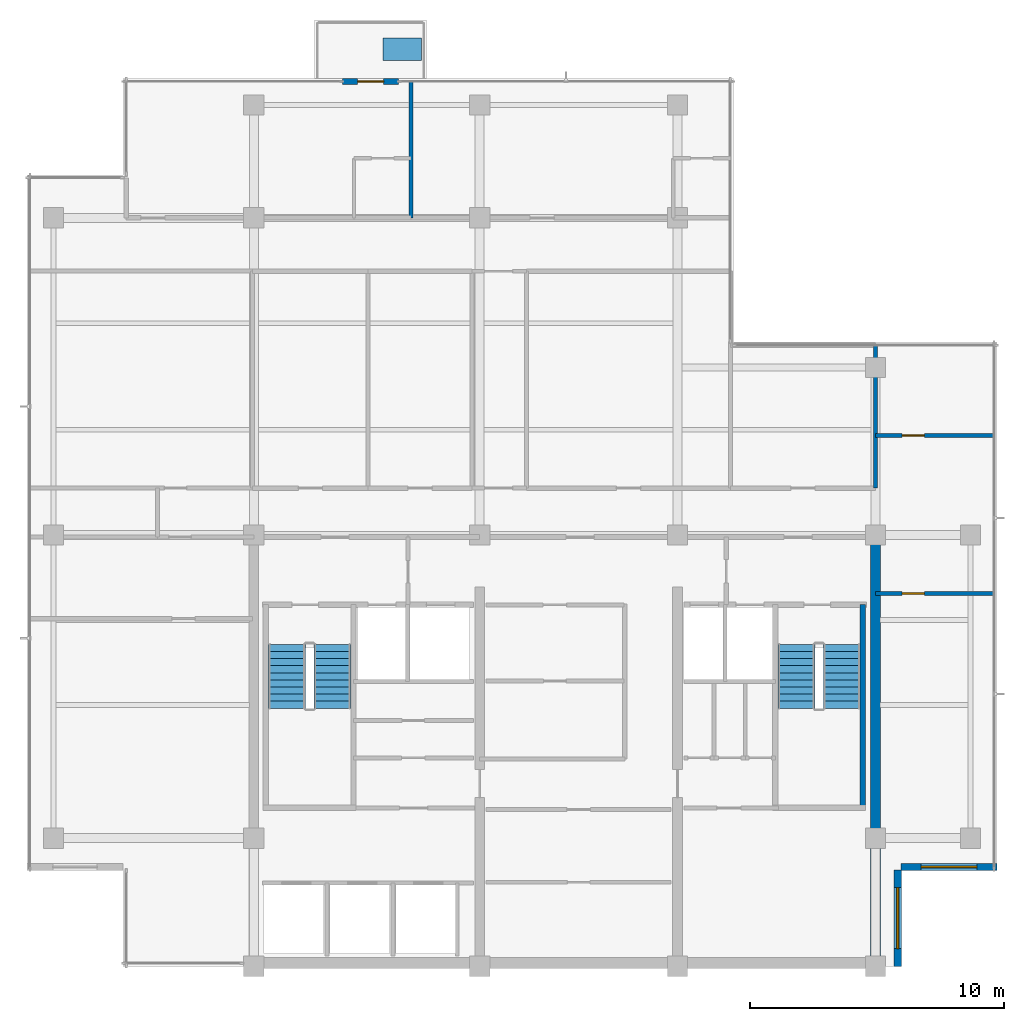
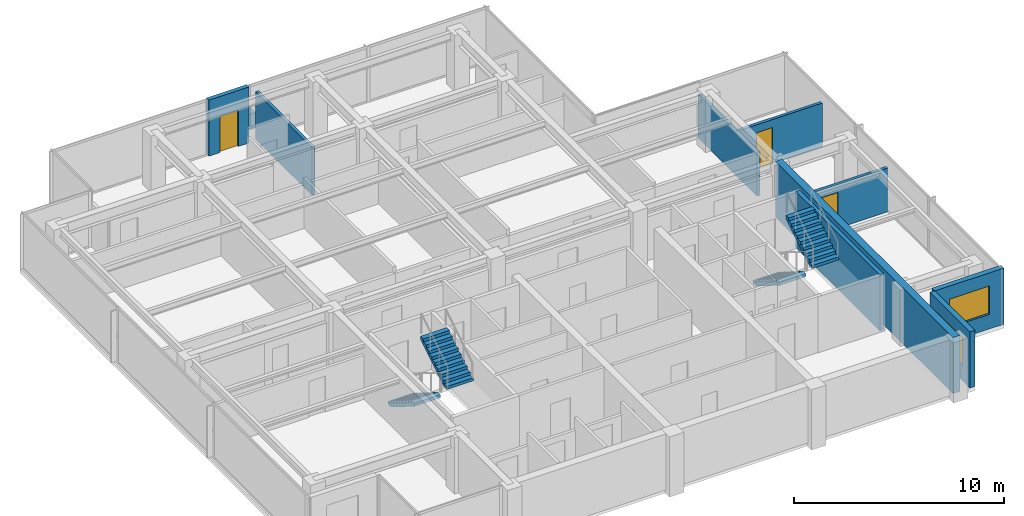
# One storey, part 8 of 11: 9 walls, 4 stair flights, 3 doors, 2 windows, 1 discrete accessory, 5 openings, 2 elements without a shape of their own.
"""IFC4 building model written with IfcOpenShell, lengths in metres."""

from ifc_helpers import new_model, si_unit, direction, frame, frame_2d, origin, place, context, subcontext, project, spatial, polyline, rectangle, outline, extrude, material, layer, layer_set, type_object, element, fill, aggregate, save


model = new_model("IFC4")

# Units and contexts
model_context = context("Model", 3, precision=1e-05, world=origin(), true_north=direction((0.0, 1.0)))
body_context = subcontext(model_context, "Body", "Model", "MODEL_VIEW")
ifc_project = project(units=[si_unit("LENGTHUNIT", "METRE"), si_unit("AREAUNIT", "SQUARE_METRE"), si_unit("VOLUMEUNIT", "CUBIC_METRE"), si_unit("PLANEANGLEUNIT", "RADIAN"), si_unit("MASSUNIT", "GRAM", prefix="KILO")], contexts=[model_context])

# Site, building, storey
site_placement = place(None, origin())
site = spatial("IfcSite", under=ifc_project, at=site_placement, CompositionType="ELEMENT")
building_placement = place(site_placement, origin())
building = spatial("IfcBuilding", under=site, at=building_placement, Name="Qalmaran Belvedere Hotel", CompositionType="ELEMENT")
storey_placement = place(building_placement, frame((0.0, 0.0, 273.89990234375)))
storey = spatial("IfcBuildingStorey", under=building, at=storey_placement, Name="L71", CompositionType="ELEMENT", Elevation=273.89990234375)

# Wall, opening, door
ifc_material_1 = material(Name="Anodised Bronze Cladding")
ifc_layer_1 = layer(ifc_material_1, 0.22509765625, Name="Anodised Bronze Cladding")
ifc_layer_set_1 = layer_set([ifc_layer_1], Name="Anodised Bronze Cladding")
wall_type_1 = type_object("IfcWallType", Name="WL-BAL-PORT-225", PredefinedType="SOLIDWALL", material=ifc_layer_set_1)
wall_1_placement = place(storey_placement, frame((23.800048828125, 38.3798828125, 0.0), z_axis=(0.0, 0.0, 1.0), x_axis=(1.0, 0.0, 0.0)))
wall_1 = element("IfcWall", 1, at=wall_1_placement, inside=storey, type_object=wall_type_1, Name="L71 Tree Balcony Door Portal", PredefinedType="SOLIDWALL", context=body_context, shape_type="SweptSolid", body=[
    extrude(rectangle(XDim=2.199951171875, YDim=0.22509765625, at=frame_2d((1.10009765625, 0.0))), origin(), (0.0, 0.0, 1.0), 3.260009765625),
])
opening_1_placement = place(wall_1_placement, frame((0.590087890625, 0.0, 0.0)))
opening_1 = element("IfcOpeningElement", 2, at=opening_1_placement, cuts=wall_1, Name="Opening BL-102", PredefinedType="OPENING", context=body_context, shape_type="SweptSolid", body=[
    extrude(rectangle(XDim=1.02001953125, YDim=2.10009765625, at=frame_2d((0.510009765625, 1.050048828125))), frame((0.0, 0.12255859375, 0.0), z_axis=(0.0, -1.0, 0.0), x_axis=(1.0, 0.0, 0.0)), (0.0, 0.0, 1.0), 0.2451171875),
])
ifc_material_2 = material(Name="Anodised Bronze Aluminium", Category="aluminium")
door_type_1 = type_object("IfcDoorType", Name="DR-BAL-1020X2100", OperationType="NOTDEFINED", PredefinedType="DOOR", material=ifc_material_2)
door_1_placement = place(opening_1_placement, origin())
door_1 = element("IfcDoor", 3, at=door_1_placement, inside=storey, type_object=door_type_1, Name="L71 Planted Tree Balcony Door", OperationType="SINGLE_SWING_RIGHT", OverallHeight=2.10009765625, OverallWidth=1.02001953125, PredefinedType="DOOR", context=body_context, shape_type="SweptSolid", body=[
    extrude(rectangle(XDim=1.02001953125, YDim=2.10009765625, at=frame_2d((0.510009765625, 1.050048828125))), frame((0.0, 0.02490234375, 0.0), z_axis=(0.0, -1.0, 0.0), x_axis=(1.0, 0.0, 0.0)), (0.0, 0.0, 1.0), 0.050048828125),
])
fill(opening_1, door_1)

# Wall
ifc_material_3 = material(Name="Concrete C50/60", Category="concrete")
ifc_layer_2 = layer(ifc_material_3, 0.3798828125, Name="Concrete C50/60")
ifc_layer_set_2 = layer_set([ifc_layer_2], Name="Concrete C50/60")
wall_type_2 = type_object("IfcWallType", Name="WL-CORE-380-C50", PredefinedType="SHEAR", material=ifc_layer_set_2)
wall_2_placement = place(storey_placement, frame((44.800048828125, 3.5, 0.0), z_axis=(0.0, 0.0, 1.0), x_axis=(0.0, 1.0, 0.0)))
element("IfcWall", 4, at=wall_2_placement, inside=storey, type_object=wall_type_2, Name="L71 East Core Shear Wall", PredefinedType="SHEAR", context=body_context, shape_type="SweptSolid", body=[
    extrude(rectangle(XDim=16.89990234375, YDim=0.3798828125, at=frame_2d((8.449951171875, 0.0))), origin(), (0.0, 0.0, 1.0), 3.260009765625),
])

# Wall, opening, window
ifc_layer_3 = layer(ifc_material_1, 0.280029296875, Name="Anodised Bronze Cladding")
ifc_layer_set_3 = layer_set([ifc_layer_3], Name="Anodised Bronze Cladding")
wall_type_3 = type_object("IfcWallType", Name="WL-EXT-BRNZ-280", PredefinedType="SOLIDWALL", material=ifc_layer_set_3)
wall_3_placement = place(storey_placement, frame((45.679931640625, 3.5, 0.0), z_axis=(0.0, 0.0, 1.0), x_axis=(0.0, 1.0, 0.0)))
wall_3 = element("IfcWall", 5, at=wall_3_placement, inside=storey, type_object=wall_type_3, Name="L71 Corner Notch Wall 1", PredefinedType="SOLIDWALL", context=body_context, shape_type="SweptSolid", body=[
    extrude(rectangle(XDim=3.800048828125, YDim=0.280029296875, at=frame_2d((1.89990234375, 0.0))), origin(), (0.0, 0.0, 1.0), 3.260009765625),
])
opening_2_placement = place(wall_3_placement, frame((0.699951171875, 0.0, 0.85009765625)))
opening_2 = element("IfcOpeningElement", 6, at=opening_2_placement, cuts=wall_3, Name="Opening W-N24", PredefinedType="OPENING", context=body_context, shape_type="SweptSolid", body=[
    extrude(rectangle(XDim=2.39990234375, YDim=1.64990234375, at=frame_2d((1.199951171875, 0.824951171875))), frame((0.0, 0.14990234375, 0.0), z_axis=(0.0, -1.0, 0.0), x_axis=(1.0, 0.0, 0.0)), (0.0, 0.0, 1.0), 0.300048828125),
])
ifc_material_4 = material(Name="Solar-Control Double Glazing", Category="glass")
window_type_1 = type_object("IfcWindowType", Name="WN-NTC-2400X1650", PartitioningType="SINGLE_PANEL", PredefinedType="WINDOW", material=ifc_material_4)
window_1_placement = place(opening_2_placement, origin())
window_1 = element("IfcWindow", 7, at=window_1_placement, inside=storey, type_object=window_type_1, Name="L71 Corner Notch Window 1", OverallHeight=1.64990234375, OverallWidth=2.39990234375, PartitioningType="SINGLE_PANEL", PredefinedType="WINDOW", context=body_context, shape_type="SweptSolid", body=[
    extrude(rectangle(XDim=2.39990234375, YDim=1.64990234375, at=frame_2d((1.199951171875, 0.824951171875))), frame((0.0, 0.030029296875, 0.0), z_axis=(0.0, -1.0, 0.0), x_axis=(1.0, 0.0, 0.0)), (0.0, 0.0, 1.0), 0.06005859375),
])
fill(opening_2, window_1)

wall_4_placement = place(storey_placement, frame((45.800048828125, 7.419921875, 0.0), z_axis=(0.0, 0.0, 1.0), x_axis=(1.0, 0.0, 0.0)))
wall_4 = element("IfcWall", 8, at=wall_4_placement, inside=storey, type_object=wall_type_3, Name="L71 Corner Notch Wall 2", PredefinedType="SOLIDWALL", context=body_context, shape_type="SweptSolid", body=[
    extrude(rectangle(XDim=3.800048828125, YDim=0.280029296875, at=frame_2d((1.89990234375, 0.0))), origin(), (0.0, 0.0, 1.0), 3.260009765625),
])
opening_3_placement = place(wall_4_placement, frame((0.800048828125, 0.0, 0.85009765625)))
opening_3 = element("IfcOpeningElement", 9, at=opening_3_placement, cuts=wall_4, Name="Opening W-N22", PredefinedType="OPENING", context=body_context, shape_type="SweptSolid", body=[
    extrude(rectangle(XDim=2.199951171875, YDim=1.64990234375, at=frame_2d((1.10009765625, 0.824951171875))), frame((0.0, 0.14990234375, 0.0), z_axis=(0.0, -1.0, 0.0), x_axis=(1.0, 0.0, 0.0)), (0.0, 0.0, 1.0), 0.300048828125),
])
window_type_2 = type_object("IfcWindowType", Name="WN-NTC-2200X1650", PartitioningType="SINGLE_PANEL", PredefinedType="WINDOW", material=ifc_material_4)
window_2_placement = place(opening_3_placement, origin())
window_2 = element("IfcWindow", 10, at=window_2_placement, inside=storey, type_object=window_type_2, Name="L71 Corner Notch Window 2", OverallHeight=1.64990234375, OverallWidth=2.199951171875, PartitioningType="SINGLE_PANEL", PredefinedType="WINDOW", context=body_context, shape_type="SweptSolid", body=[
    extrude(rectangle(XDim=2.199951171875, YDim=1.64990234375, at=frame_2d((1.10009765625, 0.824951171875))), frame((0.0, 0.030029296875, 0.0), z_axis=(0.0, -1.0, 0.0), x_axis=(1.0, 0.0, 0.0)), (0.0, 0.0, 1.0), 0.06005859375),
])
fill(opening_3, window_2)

# Wall, opening, door
ifc_material_5 = material(Name="Gypsum Stud Partition")
ifc_layer_4 = layer(ifc_material_5, 0.159912109375, Name="Gypsum Stud Partition")
ifc_layer_set_4 = layer_set([ifc_layer_4], Name="Gypsum Stud Partition")
wall_type_4 = type_object("IfcWallType", Name="WL-INT-160-EI60", PredefinedType="PARTITIONING", material=ifc_layer_set_4)
wall_5_placement = place(storey_placement, frame((44.800048828125, 18.199951171875, 0.0), z_axis=(0.0, 0.0, 1.0), x_axis=(1.0, 0.0, 0.0)))
wall_5 = element("IfcWall", 11, at=wall_5_placement, inside=storey, type_object=wall_type_4, Name="L71 Partition WL-L71-C4EES", PredefinedType="PARTITIONING", context=body_context, shape_type="SweptSolid", body=[
    extrude(rectangle(XDim=4.679931640625, YDim=0.159912109375, at=frame_2d((2.33984375, 0.0))), origin(), (0.0, 0.0, 1.0), 2.550048828125),
])
opening_4_placement = place(wall_5_placement, frame((1.929931640625, 0.0, 0.0), z_axis=(0.0, 0.0, 1.0), x_axis=(-1.0, 0.0, 0.0)))
opening_4 = element("IfcOpeningElement", 12, at=opening_4_placement, cuts=wall_5, Name="Opening FD60B", PredefinedType="OPENING", context=body_context, shape_type="SweptSolid", body=[
    extrude(rectangle(XDim=0.8798828125, YDim=2.080078125, at=frame_2d((0.43994140625, 1.0400390625))), frame((0.0, 0.08984375, 0.0), z_axis=(0.0, -1.0, 0.0), x_axis=(1.0, 0.0, 0.0)), (0.0, 0.0, 1.0), 0.179931640625),
])
ifc_material_6 = material(Name="Steel S355JR", Category="steel")
door_type_2 = type_object("IfcDoorType", Name="DR-FD60B-880X2080", OperationType="NOTDEFINED", PredefinedType="DOOR", material=ifc_material_6)
door_2_placement = place(opening_4_placement, origin())
door_2 = element("IfcDoor", 13, at=door_2_placement, inside=storey, type_object=door_type_2, Name="L71 East Reading Door", OperationType="SINGLE_SWING_LEFT", OverallHeight=2.080078125, OverallWidth=0.8798828125, PredefinedType="DOOR", context=body_context, shape_type="SweptSolid", body=[
    extrude(rectangle(XDim=0.8798828125, YDim=2.080078125, at=frame_2d((0.43994140625, 1.0400390625))), frame((0.0, 0.02490234375, 0.0), z_axis=(0.0, -1.0, 0.0), x_axis=(1.0, 0.0, 0.0)), (0.0, 0.0, 1.0), 0.050048828125),
])
fill(opening_4, door_2)

wall_6_placement = place(storey_placement, frame((44.800048828125, 24.419921875, 0.0), z_axis=(0.0, 0.0, 1.0), x_axis=(1.0, 0.0, 0.0)))
wall_6 = element("IfcWall", 14, at=wall_6_placement, inside=storey, type_object=wall_type_4, Name="L71 Partition WL-L71-C4EEN", PredefinedType="PARTITIONING", context=body_context, shape_type="SweptSolid", body=[
    extrude(rectangle(XDim=4.679931640625, YDim=0.159912109375, at=frame_2d((2.33984375, 0.0))), origin(), (0.0, 0.0, 1.0), 2.550048828125),
])
opening_5_placement = place(wall_6_placement, frame((1.050048828125, 0.0, 0.0)))
opening_5 = element("IfcOpeningElement", 15, at=opening_5_placement, cuts=wall_6, Name="Opening FD60B", PredefinedType="OPENING", context=body_context, shape_type="SweptSolid", body=[
    extrude(rectangle(XDim=0.8798828125, YDim=2.080078125, at=frame_2d((0.43994140625, 1.0400390625))), frame((0.0, 0.08984375, 0.0), z_axis=(0.0, -1.0, 0.0), x_axis=(1.0, 0.0, 0.0)), (0.0, 0.0, 1.0), 0.179931640625),
])
door_3_placement = place(opening_5_placement, origin())
door_3 = element("IfcDoor", 16, at=door_3_placement, inside=storey, type_object=door_type_2, Name="L71 East Study Door", OperationType="SINGLE_SWING_RIGHT", OverallHeight=2.080078125, OverallWidth=0.8798828125, PredefinedType="DOOR", context=body_context, shape_type="SweptSolid", body=[
    extrude(rectangle(XDim=0.8798828125, YDim=2.080078125, at=frame_2d((0.43994140625, 1.0400390625))), frame((0.0, 0.02490234375, 0.0), z_axis=(0.0, -1.0, 0.0), x_axis=(1.0, 0.0, 0.0)), (0.0, 0.0, 1.0), 0.050048828125),
])
fill(opening_5, door_3)

# Walls
wall_7_placement = place(storey_placement, frame((44.800048828125, 22.35009765625, 0.0), z_axis=(0.0, 0.0, 1.0), x_axis=(0.0, 1.0, 0.0)))
element("IfcWall", 17, at=wall_7_placement, inside=storey, type_object=wall_type_4, Name="L71 Partition WL-L71-C4MFVR1", PredefinedType="PARTITIONING", context=body_context, shape_type="SweptSolid", body=[
    extrude(rectangle(XDim=5.6298828125, YDim=0.159912109375, at=frame_2d((2.81494140625, 0.0))), origin(), (0.0, 0.0, 1.0), 2.550048828125),
])
wall_8_placement = place(storey_placement, frame((26.5, 33.0, 0.0), z_axis=(0.0, 0.0, 1.0), x_axis=(0.0, 1.0, 0.0)))
element("IfcWall", 18, at=wall_8_placement, inside=storey, type_object=wall_type_4, Name="L71 Partition WL-L71-NUR00", PredefinedType="PARTITIONING", context=body_context, shape_type="SweptSolid", body=[
    extrude(rectangle(XDim=5.3798828125, YDim=0.159912109375, at=frame_2d((2.68994140625, 0.0))), origin(), (0.0, 0.0, 1.0), 2.781982421875),
])
ifc_layer_5 = layer(ifc_material_3, 0.2099609375, Name="Concrete C50/60")
ifc_layer_set_5 = layer_set([ifc_layer_5], Name="Concrete C50/60")
wall_type_5 = type_object("IfcWallType", Name="WL-STAIR-210-C50", PredefinedType="SHEAR", material=ifc_layer_set_5)
wall_9_placement = place(storey_placement, frame((44.304931640625, 9.7451171875, 0.0), z_axis=(0.0, 0.0, 1.0), x_axis=(0.0, 1.0, 0.0)))
element("IfcWall", 19, at=wall_9_placement, inside=storey, type_object=wall_type_5, Name="L71 Stair ST-2 East Bearing Wall", PredefinedType="SHEAR", context=body_context, shape_type="SweptSolid", body=[
    extrude(rectangle(XDim=8.009765625, YDim=0.2099609375, at=frame_2d((4.0048828125, 0.0))), origin(), (0.0, 0.0, 1.0), 3.260009765625),
])

# Stair, stair flights
ifc_material_7 = material(Name="Concrete C40/50", Category="concrete")
stair_type_1 = type_object("IfcStairType", Name="STR-ST-1-1450-R1750", PredefinedType="HALF_TURN_STAIR", material=ifc_material_7)
stair_1_placement = place(storey_placement, origin())
stair_1 = element("IfcStair", 20, at=stair_1_placement, inside=storey, type_object=stair_type_1, Name="L71 West Core Exit Stair ST-1", PredefinedType="HALF_TURN_STAIR")
ifc_layer_6 = layer(ifc_material_7, 0.14990234375, Name="Concrete C40/50")
ifc_layer_set_6 = layer_set([ifc_layer_6], Name="Concrete C40/50")
stair_flight_type_1 = type_object("IfcStairFlightType", Name="STF-ST-1-1450-R1750", PredefinedType="STRAIGHT", material=ifc_layer_set_6)
stair_flight_1_placement = place(storey_placement, frame((21.60498046875, 16.18994140625, 0.0), z_axis=(0.0, 0.0, 1.0), x_axis=(0.0, -1.0, 0.0)))
stair_flight_1 = element("IfcStairFlight", 21, at=stair_flight_1_placement, type_object=stair_flight_type_1, Name="ST-1 flight 1", NumberOfRisers=10, NumberOfTreads=9, PredefinedType="STRAIGHT", RiserHeight=0.175, TreadLength=0.28, context=body_context, shape_type="SweptSolid", body=[
    extrude(outline(polyline([(0.0, 0.0), (0.0, 0.175048828125), (0.280029296875, 0.175048828125), (0.280029296875, 0.35009765625), (0.56005859375, 0.35009765625), (0.56005859375, 0.52490234375), (0.840087890625, 0.52490234375), (0.840087890625, 0.699951171875), (1.1201171875, 0.699951171875), (1.1201171875, 0.875), (1.39990234375, 0.875), (1.39990234375, 1.050048828125), (1.679931640625, 1.050048828125), (1.679931640625, 1.22509765625), (1.9599609375, 1.22509765625), (1.9599609375, 1.39990234375), (2.239990234375, 1.39990234375), (2.239990234375, 1.574951171875), (2.52001953125, 1.574951171875), (2.52001953125, 1.75), (2.52001953125, 1.398193359375), (0.28271484375, 0.0), (0.0, 0.0)])), frame((0.0, 0.72509765625, 0.0), z_axis=(0.0, -1.0, 0.0), x_axis=(1.0, 0.0, 0.0)), (0.0, 0.0, 1.0), 1.449951171875),
])
stair_flight_2_placement = place(storey_placement, frame((23.39501953125, 13.669921875, 1.75), z_axis=(0.0, 0.0, 1.0), x_axis=(0.0, 1.0, 0.0)))
stair_flight_2 = element("IfcStairFlight", 22, at=stair_flight_2_placement, type_object=stair_flight_type_1, Name="ST-1 flight 2", NumberOfRisers=10, NumberOfTreads=9, PredefinedType="STRAIGHT", RiserHeight=0.175, TreadLength=0.28, context=body_context, shape_type="SweptSolid", body=[
    extrude(outline(polyline([(0.0, 0.0), (0.0, 0.175048828125), (0.280029296875, 0.175048828125), (0.280029296875, 0.35009765625), (0.56005859375, 0.35009765625), (0.56005859375, 0.52490234375), (0.840087890625, 0.52490234375), (0.840087890625, 0.699951171875), (1.1201171875, 0.699951171875), (1.1201171875, 0.875), (1.39990234375, 0.875), (1.39990234375, 1.050048828125), (1.679931640625, 1.050048828125), (1.679931640625, 1.22509765625), (1.9599609375, 1.22509765625), (1.9599609375, 1.39990234375), (2.239990234375, 1.39990234375), (2.239990234375, 1.574951171875), (2.52001953125, 1.574951171875), (2.52001953125, 1.75), (2.52001953125, 1.398193359375), (0.28271484375, 0.0), (0.0, 0.0)])), frame((0.0, 0.72509765625, 0.0), z_axis=(0.0, -1.0, 0.0), x_axis=(1.0, 0.0, 0.0)), (0.0, 0.0, 1.0), 1.449951171875),
])
aggregate(stair_1, [stair_flight_1, stair_flight_2])

stair_type_2 = type_object("IfcStairType", Name="STR-ST-2-1450-R1750", PredefinedType="HALF_TURN_STAIR", material=ifc_material_7)
stair_2_placement = place(storey_placement, origin())
stair_2 = element("IfcStair", 23, at=stair_2_placement, inside=storey, type_object=stair_type_2, Name="L71 East Core Exit Stair ST-2", PredefinedType="HALF_TURN_STAIR")
ifc_layer_7 = layer(ifc_material_7, 0.14990234375, Name="Concrete C40/50")
ifc_layer_set_7 = layer_set([ifc_layer_7], Name="Concrete C40/50")
stair_flight_type_2 = type_object("IfcStairFlightType", Name="STF-ST-2-1450-R1750", PredefinedType="STRAIGHT", material=ifc_layer_set_7)
stair_flight_3_placement = place(storey_placement, frame((41.68505859375, 16.18994140625, 0.0), z_axis=(0.0, 0.0, 1.0), x_axis=(0.0, -1.0, 0.0)))
stair_flight_3 = element("IfcStairFlight", 24, at=stair_flight_3_placement, type_object=stair_flight_type_2, Name="ST-2 flight 1", NumberOfRisers=10, NumberOfTreads=9, PredefinedType="STRAIGHT", RiserHeight=0.175, TreadLength=0.28, context=body_context, shape_type="SweptSolid", body=[
    extrude(outline(polyline([(0.0, 0.0), (0.0, 0.175048828125), (0.280029296875, 0.175048828125), (0.280029296875, 0.35009765625), (0.56005859375, 0.35009765625), (0.56005859375, 0.52490234375), (0.840087890625, 0.52490234375), (0.840087890625, 0.699951171875), (1.1201171875, 0.699951171875), (1.1201171875, 0.875), (1.39990234375, 0.875), (1.39990234375, 1.050048828125), (1.679931640625, 1.050048828125), (1.679931640625, 1.22509765625), (1.9599609375, 1.22509765625), (1.9599609375, 1.39990234375), (2.239990234375, 1.39990234375), (2.239990234375, 1.574951171875), (2.52001953125, 1.574951171875), (2.52001953125, 1.75), (2.52001953125, 1.398193359375), (0.28271484375, 0.0), (0.0, 0.0)])), frame((0.0, 0.72509765625, 0.0), z_axis=(0.0, -1.0, 0.0), x_axis=(1.0, 0.0, 0.0)), (0.0, 0.0, 1.0), 1.449951171875),
])
stair_flight_4_placement = place(storey_placement, frame((43.47509765625, 13.669921875, 1.75), z_axis=(0.0, 0.0, 1.0), x_axis=(0.0, 1.0, 0.0)))
stair_flight_4 = element("IfcStairFlight", 25, at=stair_flight_4_placement, type_object=stair_flight_type_2, Name="ST-2 flight 2", NumberOfRisers=10, NumberOfTreads=9, PredefinedType="STRAIGHT", RiserHeight=0.175, TreadLength=0.28, context=body_context, shape_type="SweptSolid", body=[
    extrude(outline(polyline([(0.0, 0.0), (0.0, 0.175048828125), (0.280029296875, 0.175048828125), (0.280029296875, 0.35009765625), (0.56005859375, 0.35009765625), (0.56005859375, 0.52490234375), (0.840087890625, 0.52490234375), (0.840087890625, 0.699951171875), (1.1201171875, 0.699951171875), (1.1201171875, 0.875), (1.39990234375, 0.875), (1.39990234375, 1.050048828125), (1.679931640625, 1.050048828125), (1.679931640625, 1.22509765625), (1.9599609375, 1.22509765625), (1.9599609375, 1.39990234375), (2.239990234375, 1.39990234375), (2.239990234375, 1.574951171875), (2.52001953125, 1.574951171875), (2.52001953125, 1.75), (2.52001953125, 1.398193359375), (0.28271484375, 0.0), (0.0, 0.0)])), frame((0.0, 0.72509765625, 0.0), z_axis=(0.0, -1.0, 0.0), x_axis=(1.0, 0.0, 0.0)), (0.0, 0.0, 1.0), 1.449951171875),
])
aggregate(stair_2, [stair_flight_3, stair_flight_4])

# Discrete accessory
discrete_accessory_type = type_object("IfcDiscreteAccessoryType", Name="PLN-BAL-1500", PredefinedType="USERDEFINED", material=ifc_material_7)
discrete_accessory_placement = place(storey_placement, origin())
element("IfcDiscreteAccessory", 26, at=discrete_accessory_placement, inside=storey, type_object=discrete_accessory_type, Name="L71 Sky Tree Planter", ObjectType="PLANTER", PredefinedType="USERDEFINED", context=body_context, shape_type="SweptSolid", body=[
    extrude(outline(polyline([(25.39990234375, 39.199951171875), (26.89990234375, 39.199951171875), (26.89990234375, 40.10009765625), (25.39990234375, 40.10009765625), (25.39990234375, 39.199951171875)])), origin(), (0.0, 0.0, 1.0), 0.900146484375),
])

save(model, "model.ifc")
